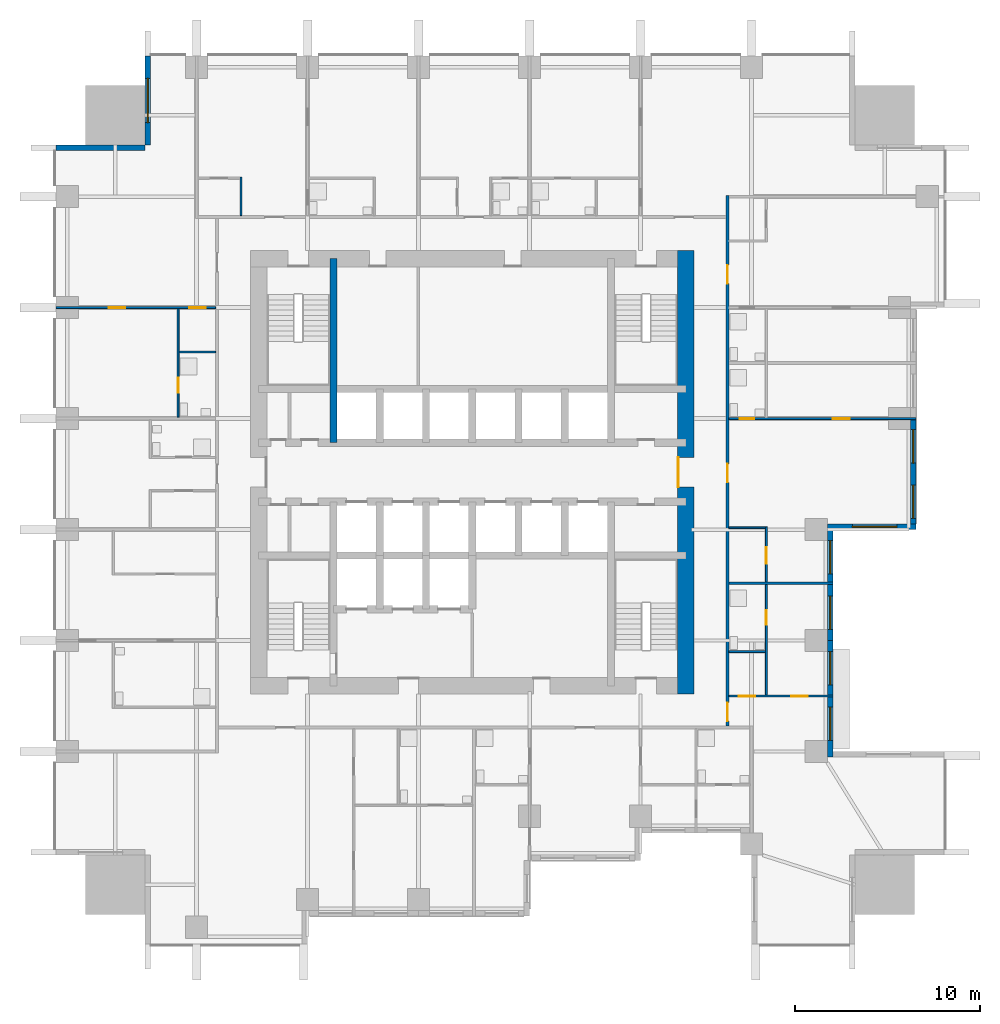
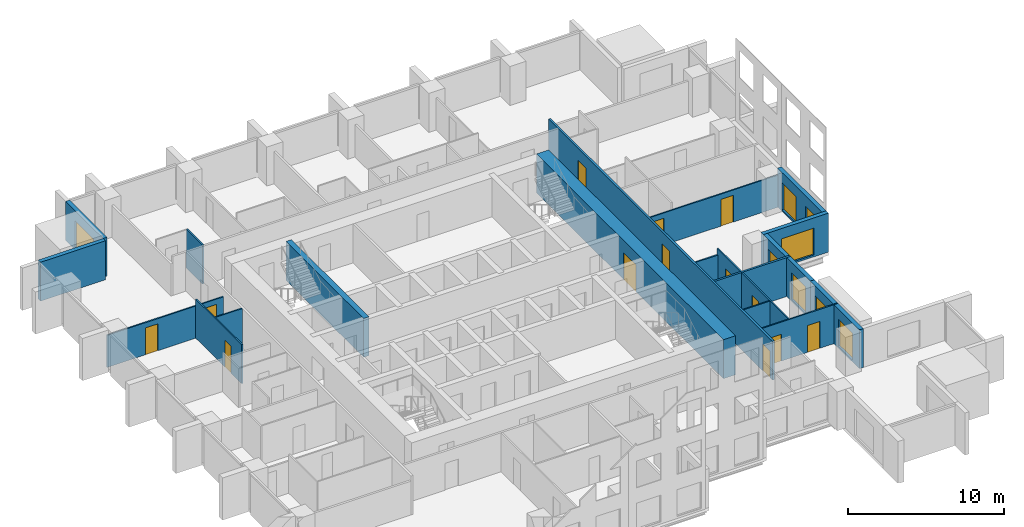
# One storey, part 6 of 11: 19 walls, 13 doors, 8 windows, 21 openings.
"""IFC4 building model written with IfcOpenShell, lengths in metres."""

from ifc_helpers import new_model, si_unit, direction, frame, frame_2d, origin, place, context, subcontext, project, spatial, rectangle, extrude, material, layer, layer_set, type_object, element, fill, save


model = new_model("IFC4")

# Units and contexts
model_context = context("Model", 3, precision=1e-05, world=origin(), true_north=direction((0.0, 1.0)))
body_context = subcontext(model_context, "Body", "Model", "MODEL_VIEW")
ifc_project = project(units=[si_unit("LENGTHUNIT", "METRE"), si_unit("AREAUNIT", "SQUARE_METRE"), si_unit("VOLUMEUNIT", "CUBIC_METRE"), si_unit("PLANEANGLEUNIT", "RADIAN"), si_unit("MASSUNIT", "GRAM", prefix="KILO")], contexts=[model_context])

# Site, building, storey
site_placement = place(None, origin())
site = spatial("IfcSite", under=ifc_project, at=site_placement, CompositionType="ELEMENT")
building_placement = place(site_placement, origin())
building = spatial("IfcBuilding", under=site, at=building_placement, Name="Amberfall Residences", CompositionType="ELEMENT")
storey_placement = place(building_placement, frame((0.0, 0.0, 59.800048828125)))
storey = spatial("IfcBuildingStorey", under=building, at=storey_placement, Name="L16", CompositionType="ELEMENT", Elevation=59.800048828125)

# Wall, opening, window
ifc_material_1 = material(Name="Pale stone cladding on insulated backing", Category="masonry")
ifc_layer_1 = layer(ifc_material_1, 0.300048828125)
ifc_layer_set_1 = layer_set([ifc_layer_1], Name="Bronze clad wall 300")
wall_type_1 = type_object("IfcWallType", Name="Bronze clad wall 300", PredefinedType="SOLIDWALL", material=ifc_layer_set_1)
wall_1_placement = place(storey_placement, frame((93.699951171875, 42.550048828125, 0.0), z_axis=(0.0, 0.0, 1.0), x_axis=(1.0, 0.0, 0.0)))
wall_1 = element("IfcWall", 1, at=wall_1_placement, inside=storey, type_object=wall_type_1, Name="External wall L16 E", PredefinedType="SOLIDWALL", context=body_context, shape_type="SweptSolid", body=[
    extrude(rectangle(XDim=4.800048828125, YDim=0.300048828125, at=frame_2d((2.39990234375, 0.0))), origin(), (0.0, 0.0, 1.0), 3.050048828125),
])
opening_1_placement = place(wall_1_placement, frame((1.35009765625, 0.0, 0.14990234375)))
opening_1 = element("IfcOpeningElement", 2, at=opening_1_placement, cuts=wall_1, Name="Opening WN5", PredefinedType="OPENING", context=body_context, shape_type="SweptSolid", body=[
    extrude(rectangle(XDim=2.39990234375, YDim=2.10009765625, at=frame_2d((1.199951171875, 1.050048828125))), frame((0.0, 0.159912109375, 0.0), z_axis=(0.0, -1.0, 0.0), x_axis=(1.0, 0.0, 0.0)), (0.0, 0.0, 1.0), 0.320068359375),
])
ifc_material_2 = material(Name="Bronze aluminium framed glazing", Category="aluminium")
window_type_1 = type_object("IfcWindowType", Name="Glazed opening 2400 x 2100 bronze", PartitioningType="DOUBLE_PANEL_VERTICAL", PredefinedType="WINDOW", material=ifc_material_2)
window_1_placement = place(opening_1_placement, origin())
window_1 = element("IfcWindow", 3, at=window_1_placement, inside=storey, type_object=window_type_1, Name="Window L16 E", OverallHeight=2.10009765625, OverallWidth=2.39990234375, PartitioningType="DOUBLE_PANEL_VERTICAL", PredefinedType="WINDOW", context=body_context, shape_type="SweptSolid", body=[
    extrude(rectangle(XDim=2.39990234375, YDim=2.10009765625, at=frame_2d((1.199951171875, 1.050048828125))), frame((0.0, 0.030029296875, 0.0), z_axis=(0.0, -1.0, 0.0), x_axis=(1.0, 0.0, 0.0)), (0.0, 0.0, 1.0), 0.06005859375),
])
fill(opening_1, window_1)

wall_2_placement = place(storey_placement, frame((56.949951171875, 68.0, 0.0), z_axis=(0.0, 0.0, 1.0), x_axis=(0.0, -1.0, 0.0)))
wall_2 = element("IfcWall", 4, at=wall_2_placement, inside=storey, type_object=wall_type_1, Name="External wall L16 NW", PredefinedType="SOLIDWALL", context=body_context, shape_type="SweptSolid", body=[
    extrude(rectangle(XDim=4.800048828125, YDim=0.300048828125, at=frame_2d((2.39990234375, 0.0))), origin(), (0.0, 0.0, 1.0), 3.050048828125),
])
opening_2_placement = place(wall_2_placement, frame((1.199951171875, 0.0, 0.14990234375)))
opening_2 = element("IfcOpeningElement", 5, at=opening_2_placement, cuts=wall_2, Name="Opening WN5", PredefinedType="OPENING", context=body_context, shape_type="SweptSolid", body=[
    extrude(rectangle(XDim=2.39990234375, YDim=2.10009765625, at=frame_2d((1.199951171875, 1.050048828125))), frame((0.0, 0.159912109375, 0.0), z_axis=(0.0, -1.0, 0.0), x_axis=(1.0, 0.0, 0.0)), (0.0, 0.0, 1.0), 0.320068359375),
])
window_2_placement = place(opening_2_placement, origin())
window_2 = element("IfcWindow", 6, at=window_2_placement, inside=storey, type_object=window_type_1, Name="Window L16 NW", OverallHeight=2.10009765625, OverallWidth=2.39990234375, PartitioningType="DOUBLE_PANEL_VERTICAL", PredefinedType="WINDOW", context=body_context, shape_type="SweptSolid", body=[
    extrude(rectangle(XDim=2.39990234375, YDim=2.10009765625, at=frame_2d((1.199951171875, 1.050048828125))), frame((0.0, 0.030029296875, 0.0), z_axis=(0.0, -1.0, 0.0), x_axis=(1.0, 0.0, 0.0)), (0.0, 0.0, 1.0), 0.06005859375),
])
fill(opening_2, window_2)

# Wall
wall_3_placement = place(storey_placement, frame((56.800048828125, 63.050048828125, 0.0), z_axis=(0.0, 0.0, 1.0), x_axis=(-1.0, 0.0, 0.0)))
element("IfcWall", 7, at=wall_3_placement, inside=storey, type_object=wall_type_1, Name="External wall L16 NW", PredefinedType="SOLIDWALL", context=body_context, shape_type="SweptSolid", body=[
    extrude(rectangle(XDim=4.800048828125, YDim=0.300048828125, at=frame_2d((2.39990234375, 0.0))), origin(), (0.0, 0.0, 1.0), 3.050048828125),
])

# Wall, openings, windows
wall_4_placement = place(storey_placement, frame((93.85009765625, 30.10009765625, 0.0), z_axis=(0.0, 0.0, 1.0), x_axis=(0.0, 1.0, 0.0)))
wall_4 = element("IfcWall", 8, at=wall_4_placement, inside=storey, type_object=wall_type_1, Name="Stone wall L16 E", PredefinedType="SOLIDWALL", context=body_context, shape_type="SweptSolid", body=[
    extrude(rectangle(XDim=6.2998046875, YDim=0.300048828125, at=frame_2d((3.14990234375, 0.0))), origin(), (0.0, 0.0, 1.0), 3.050048828125),
])
opening_3_placement = place(wall_4_placement, frame((0.89990234375, 0.0, 0.14990234375)))
opening_3 = element("IfcOpeningElement", 9, at=opening_3_placement, cuts=wall_4, Name="Opening WN6", PredefinedType="OPENING", context=body_context, shape_type="SweptSolid", body=[
    extrude(rectangle(XDim=1.800048828125, YDim=2.10009765625, at=frame_2d((0.89990234375, 1.050048828125))), frame((0.0, 0.159912109375, 0.0), z_axis=(0.0, -1.0, 0.0), x_axis=(1.0, 0.0, 0.0)), (0.0, 0.0, 1.0), 0.320068359375),
])
opening_4_placement = place(wall_4_placement, frame((3.89990234375, 0.0, 0.14990234375)))
opening_4 = element("IfcOpeningElement", 10, at=opening_4_placement, cuts=wall_4, Name="Opening WN6", PredefinedType="OPENING", context=body_context, shape_type="SweptSolid", body=[
    extrude(rectangle(XDim=1.800048828125, YDim=2.10009765625, at=frame_2d((0.89990234375, 1.050048828125))), frame((0.0, 0.159912109375, 0.0), z_axis=(0.0, -1.0, 0.0), x_axis=(1.0, 0.0, 0.0)), (0.0, 0.0, 1.0), 0.320068359375),
])
window_type_2 = type_object("IfcWindowType", Name="Glazed opening 1800 x 2100 bronze", PartitioningType="DOUBLE_PANEL_VERTICAL", PredefinedType="WINDOW", material=ifc_material_2)
window_3_placement = place(opening_3_placement, origin())
window_3 = element("IfcWindow", 11, at=window_3_placement, inside=storey, type_object=window_type_2, Name="Window L16 E", OverallHeight=2.10009765625, OverallWidth=1.800048828125, PartitioningType="DOUBLE_PANEL_VERTICAL", PredefinedType="WINDOW", context=body_context, shape_type="SweptSolid", body=[
    extrude(rectangle(XDim=1.800048828125, YDim=2.10009765625, at=frame_2d((0.89990234375, 1.050048828125))), frame((0.0, 0.030029296875, 0.0), z_axis=(0.0, -1.0, 0.0), x_axis=(1.0, 0.0, 0.0)), (0.0, 0.0, 1.0), 0.06005859375),
])
fill(opening_3, window_3)
window_4_placement = place(opening_4_placement, origin())
window_4 = element("IfcWindow", 12, at=window_4_placement, inside=storey, type_object=window_type_2, Name="Window L16 E", OverallHeight=2.10009765625, OverallWidth=1.800048828125, PartitioningType="DOUBLE_PANEL_VERTICAL", PredefinedType="WINDOW", context=body_context, shape_type="SweptSolid", body=[
    extrude(rectangle(XDim=1.800048828125, YDim=2.10009765625, at=frame_2d((0.89990234375, 1.050048828125))), frame((0.0, 0.030029296875, 0.0), z_axis=(0.0, -1.0, 0.0), x_axis=(1.0, 0.0, 0.0)), (0.0, 0.0, 1.0), 0.06005859375),
])
fill(opening_4, window_4)

wall_5_placement = place(storey_placement, frame((93.85009765625, 36.39990234375, 0.0), z_axis=(0.0, 0.0, 1.0), x_axis=(0.0, 1.0, 0.0)))
wall_5 = element("IfcWall", 13, at=wall_5_placement, inside=storey, type_object=wall_type_1, Name="Stone wall L16 E", PredefinedType="SOLIDWALL", context=body_context, shape_type="SweptSolid", body=[
    extrude(rectangle(XDim=6.0, YDim=0.300048828125, at=frame_2d((3.0, 0.0))), origin(), (0.0, 0.0, 1.0), 3.050048828125),
])
opening_5_placement = place(wall_5_placement, frame((0.60009765625, 0.0, 0.14990234375)))
opening_5 = element("IfcOpeningElement", 14, at=opening_5_placement, cuts=wall_5, Name="Opening WN6", PredefinedType="OPENING", context=body_context, shape_type="SweptSolid", body=[
    extrude(rectangle(XDim=1.800048828125, YDim=2.10009765625, at=frame_2d((0.89990234375, 1.050048828125))), frame((0.0, 0.159912109375, 0.0), z_axis=(0.0, -1.0, 0.0), x_axis=(1.0, 0.0, 0.0)), (0.0, 0.0, 1.0), 0.320068359375),
])
opening_6_placement = place(wall_5_placement, frame((3.60009765625, 0.0, 0.14990234375)))
opening_6 = element("IfcOpeningElement", 15, at=opening_6_placement, cuts=wall_5, Name="Opening WN6", PredefinedType="OPENING", context=body_context, shape_type="SweptSolid", body=[
    extrude(rectangle(XDim=1.800048828125, YDim=2.10009765625, at=frame_2d((0.89990234375, 1.050048828125))), frame((0.0, 0.159912109375, 0.0), z_axis=(0.0, -1.0, 0.0), x_axis=(1.0, 0.0, 0.0)), (0.0, 0.0, 1.0), 0.320068359375),
])
window_5_placement = place(opening_5_placement, origin())
window_5 = element("IfcWindow", 16, at=window_5_placement, inside=storey, type_object=window_type_2, Name="Window L16 E", OverallHeight=2.10009765625, OverallWidth=1.800048828125, PartitioningType="DOUBLE_PANEL_VERTICAL", PredefinedType="WINDOW", context=body_context, shape_type="SweptSolid", body=[
    extrude(rectangle(XDim=1.800048828125, YDim=2.10009765625, at=frame_2d((0.89990234375, 1.050048828125))), frame((0.0, 0.030029296875, 0.0), z_axis=(0.0, -1.0, 0.0), x_axis=(1.0, 0.0, 0.0)), (0.0, 0.0, 1.0), 0.06005859375),
])
fill(opening_5, window_5)
window_6_placement = place(opening_6_placement, origin())
window_6 = element("IfcWindow", 17, at=window_6_placement, inside=storey, type_object=window_type_2, Name="Window L16 E", OverallHeight=2.10009765625, OverallWidth=1.800048828125, PartitioningType="DOUBLE_PANEL_VERTICAL", PredefinedType="WINDOW", context=body_context, shape_type="SweptSolid", body=[
    extrude(rectangle(XDim=1.800048828125, YDim=2.10009765625, at=frame_2d((0.89990234375, 1.050048828125))), frame((0.0, 0.030029296875, 0.0), z_axis=(0.0, -1.0, 0.0), x_axis=(1.0, 0.0, 0.0)), (0.0, 0.0, 1.0), 0.06005859375),
])
fill(opening_6, window_6)

wall_6_placement = place(storey_placement, frame((98.35009765625, 42.699951171875, 0.0), z_axis=(0.0, 0.0, 1.0), x_axis=(0.0, 1.0, 0.0)))
wall_6 = element("IfcWall", 18, at=wall_6_placement, inside=storey, type_object=wall_type_1, Name="Stone wall L16 E", PredefinedType="SOLIDWALL", context=body_context, shape_type="SweptSolid", body=[
    extrude(rectangle(XDim=5.699951171875, YDim=0.300048828125, at=frame_2d((2.85009765625, 0.0))), origin(), (0.0, 0.0, 1.0), 3.050048828125),
])
opening_7_placement = place(wall_6_placement, frame((0.300048828125, 0.0, 0.14990234375)))
opening_7 = element("IfcOpeningElement", 19, at=opening_7_placement, cuts=wall_6, Name="Opening WN6", PredefinedType="OPENING", context=body_context, shape_type="SweptSolid", body=[
    extrude(rectangle(XDim=1.800048828125, YDim=2.10009765625, at=frame_2d((0.89990234375, 1.050048828125))), frame((0.0, 0.159912109375, 0.0), z_axis=(0.0, -1.0, 0.0), x_axis=(1.0, 0.0, 0.0)), (0.0, 0.0, 1.0), 0.320068359375),
])
opening_8_placement = place(wall_6_placement, frame((3.300048828125, 0.0, 0.14990234375)))
opening_8 = element("IfcOpeningElement", 20, at=opening_8_placement, cuts=wall_6, Name="Opening WN6", PredefinedType="OPENING", context=body_context, shape_type="SweptSolid", body=[
    extrude(rectangle(XDim=1.800048828125, YDim=2.10009765625, at=frame_2d((0.89990234375, 1.050048828125))), frame((0.0, 0.159912109375, 0.0), z_axis=(0.0, -1.0, 0.0), x_axis=(1.0, 0.0, 0.0)), (0.0, 0.0, 1.0), 0.320068359375),
])
window_7_placement = place(opening_7_placement, origin())
window_7 = element("IfcWindow", 21, at=window_7_placement, inside=storey, type_object=window_type_2, Name="Window L16 E", OverallHeight=2.10009765625, OverallWidth=1.800048828125, PartitioningType="DOUBLE_PANEL_VERTICAL", PredefinedType="WINDOW", context=body_context, shape_type="SweptSolid", body=[
    extrude(rectangle(XDim=1.800048828125, YDim=2.10009765625, at=frame_2d((0.89990234375, 1.050048828125))), frame((0.0, 0.030029296875, 0.0), z_axis=(0.0, -1.0, 0.0), x_axis=(1.0, 0.0, 0.0)), (0.0, 0.0, 1.0), 0.06005859375),
])
fill(opening_7, window_7)
window_8_placement = place(opening_8_placement, origin())
window_8 = element("IfcWindow", 22, at=window_8_placement, inside=storey, type_object=window_type_2, Name="Window L16 E", OverallHeight=2.10009765625, OverallWidth=1.800048828125, PartitioningType="DOUBLE_PANEL_VERTICAL", PredefinedType="WINDOW", context=body_context, shape_type="SweptSolid", body=[
    extrude(rectangle(XDim=1.800048828125, YDim=2.10009765625, at=frame_2d((0.89990234375, 1.050048828125))), frame((0.0, 0.030029296875, 0.0), z_axis=(0.0, -1.0, 0.0), x_axis=(1.0, 0.0, 0.0)), (0.0, 0.0, 1.0), 0.06005859375),
])
fill(opening_8, window_8)

# Wall
ifc_material_3 = material(Name="Concrete C80", Category="concrete")
ifc_layer_2 = layer(ifc_material_3, 0.39990234375)
ifc_layer_set_2 = layer_set([ifc_layer_2], Name="Core wall 400 C80")
wall_type_2 = type_object("IfcWallType", Name="Core wall 400 C80", PredefinedType="SHEAR", material=ifc_layer_set_2)
wall_7_placement = place(storey_placement, frame((67.0, 47.10009765625, 0.0), z_axis=(0.0, 0.0, 1.0), x_axis=(0.0, 1.0, 0.0)))
element("IfcWall", 23, at=wall_7_placement, inside=storey, type_object=wall_type_2, Name="Core wall RW2 L16 V45N", PredefinedType="SHEAR", context=body_context, shape_type="SweptSolid", body=[
    extrude(rectangle(XDim=9.949951171875, YDim=0.39990234375, at=frame_2d((4.97509765625, 0.0))), origin(), (0.0, 0.0, 1.0), 3.050048828125),
])

# Wall, opening, door
ifc_layer_3 = layer(ifc_material_3, 0.89990234375)
ifc_layer_set_3 = layer_set([ifc_layer_3], Name="Core wall 900 C80")
wall_type_3 = type_object("IfcWallType", Name="Core wall 900 C80", PredefinedType="SHEAR", material=ifc_layer_set_3)
wall_8_placement = place(storey_placement, frame((86.050048828125, 33.5, 0.0), z_axis=(0.0, 0.0, 1.0), x_axis=(0.0, 1.0, 0.0)))
wall_8 = element("IfcWall", 24, at=wall_8_placement, inside=storey, type_object=wall_type_3, Name="Core wall RW1 L16 OE", PredefinedType="SHEAR", context=body_context, shape_type="SweptSolid", body=[
    extrude(rectangle(XDim=24.0, YDim=0.89990234375, at=frame_2d((12.0, 0.0))), origin(), (0.0, 0.0, 1.0), 3.050048828125),
])
opening_9_placement = place(wall_8_placement, frame((11.199951171875, 0.0, 0.0)))
opening_9 = element("IfcOpeningElement", 25, at=opening_9_placement, cuts=wall_8, Name="Opening LB1", PredefinedType="OPENING", context=body_context, shape_type="SweptSolid", body=[
    extrude(rectangle(XDim=1.60009765625, YDim=2.10009765625, at=frame_2d((0.800048828125, 1.050048828125))), frame((0.0, 0.4599609375, 0.0), z_axis=(0.0, -1.0, 0.0), x_axis=(1.0, 0.0, 0.0)), (0.0, 0.0, 1.0), 0.919921875),
])
ifc_material_4 = material(Name="Steel fire door set", Category="steel")
door_type_1 = type_object("IfcDoorType", Name="Lift lobby double door 1600 x 2100", OperationType="DOUBLE_DOOR_SINGLE_SWING", PredefinedType="DOOR", material=ifc_material_4)
door_1_placement = place(opening_9_placement, origin())
door_1 = element("IfcDoor", 26, at=door_1_placement, inside=storey, type_object=door_type_1, Name="LB1 L16", OperationType="DOUBLE_DOOR_SINGLE_SWING", OverallHeight=2.10009765625, OverallWidth=1.60009765625, PredefinedType="DOOR", context=body_context, shape_type="SweptSolid", body=[
    extrude(rectangle(XDim=1.60009765625, YDim=2.10009765625, at=frame_2d((0.800048828125, 1.050048828125))), frame((0.0, 0.4375, 0.0), z_axis=(0.0, -1.0, 0.0), x_axis=(1.0, 0.0, 0.0)), (0.0, 0.0, 1.0), 0.050048828125),
])
fill(opening_9, door_1)

ifc_material_5 = material(Name="Gypsum board on metal stud")
ifc_layer_4 = layer(ifc_material_5, 0.10009765625)
ifc_layer_set_4 = layer_set([ifc_layer_4], Name="Flat partition 100")
wall_type_4 = type_object("IfcWallType", Name="Flat partition 100", PredefinedType="PARTITIONING", material=ifc_layer_set_4)
wall_9_placement = place(storey_placement, frame((58.60009765625, 54.35009765625, 0.0), z_axis=(0.0, 0.0, 1.0), x_axis=(0.0, -1.0, 0.0)))
wall_9 = element("IfcWall", 27, at=wall_9_placement, inside=storey, type_object=wall_type_4, Name="Partition 005", PredefinedType="PARTITIONING", context=body_context, shape_type="SweptSolid", body=[
    extrude(rectangle(XDim=5.875, YDim=0.10009765625, at=frame_2d((2.9375, 0.0))), origin(), (0.0, 0.0, 1.0), 3.050048828125),
])
opening_10_placement = place(wall_9_placement, frame((3.75, 0.0, 0.0)))
opening_10 = element("IfcOpeningElement", 28, at=opening_10_placement, cuts=wall_9, Name="Opening D42", PredefinedType="OPENING", context=body_context, shape_type="SweptSolid", body=[
    extrude(rectangle(XDim=0.800048828125, YDim=2.10009765625, at=frame_2d((0.39990234375, 1.050048828125))), frame((0.0, 0.06005859375, 0.0), z_axis=(0.0, -1.0, 0.0), x_axis=(1.0, 0.0, 0.0)), (0.0, 0.0, 1.0), 0.1201171875),
])
ifc_material_6 = material(Name="Timber", Category="wood")
door_type_2 = type_object("IfcDoorType", Name="Bathroom door 800 x 2100", OperationType="SINGLE_SWING_LEFT", PredefinedType="DOOR", material=ifc_material_6)
door_2_placement = place(opening_10_placement, origin())
door_2 = element("IfcDoor", 29, at=door_2_placement, inside=storey, type_object=door_type_2, Name="Door 1611 bath1", OperationType="SINGLE_SWING_LEFT", OverallHeight=2.10009765625, OverallWidth=0.800048828125, PredefinedType="DOOR", context=body_context, shape_type="SweptSolid", body=[
    extrude(rectangle(XDim=0.800048828125, YDim=2.10009765625, at=frame_2d((0.39990234375, 1.050048828125))), frame((0.0, 0.02490234375, 0.0), z_axis=(0.0, -1.0, 0.0), x_axis=(1.0, 0.0, 0.0)), (0.0, 0.0, 1.0), 0.050048828125),
])
fill(opening_10, door_2)

# Wall
wall_10_placement = place(storey_placement, frame((62.0, 59.375, 0.0), z_axis=(0.0, 0.0, 1.0), x_axis=(0.0, 1.0, 0.0)))
element("IfcWall", 30, at=wall_10_placement, inside=storey, type_object=wall_type_4, Name="Partition 006", PredefinedType="PARTITIONING", context=body_context, shape_type="SweptSolid", body=[
    extrude(rectangle(XDim=2.074951171875, YDim=0.10009765625, at=frame_2d((1.03759765625, 0.0))), origin(), (0.0, 0.0, 1.0), 3.050048828125),
])

# Wall, openings, doors
wall_11_placement = place(storey_placement, frame((90.39990234375, 33.449951171875, 0.0), z_axis=(0.0, 0.0, 1.0), x_axis=(0.0, 1.0, 0.0)))
wall_11 = element("IfcWall", 31, at=wall_11_placement, inside=storey, type_object=wall_type_4, Name="Partition 018", PredefinedType="PARTITIONING", context=body_context, shape_type="SweptSolid", body=[
    extrude(rectangle(XDim=9.10009765625, YDim=0.10009765625, at=frame_2d((4.550048828125, 0.0))), origin(), (0.0, 0.0, 1.0), 3.050048828125),
])
opening_11_placement = place(wall_11_placement, frame((3.800048828125, 0.0, 0.0)))
opening_11 = element("IfcOpeningElement", 32, at=opening_11_placement, cuts=wall_11, Name="Opening D42", PredefinedType="OPENING", context=body_context, shape_type="SweptSolid", body=[
    extrude(rectangle(XDim=0.800048828125, YDim=2.10009765625, at=frame_2d((0.39990234375, 1.050048828125))), frame((0.0, 0.06005859375, 0.0), z_axis=(0.0, -1.0, 0.0), x_axis=(1.0, 0.0, 0.0)), (0.0, 0.0, 1.0), 0.1201171875),
])
opening_12_placement = place(wall_11_placement, frame((7.10009765625, 0.0, 0.0)))
opening_12 = element("IfcOpeningElement", 33, at=opening_12_placement, cuts=wall_11, Name="Opening D41", PredefinedType="OPENING", context=body_context, shape_type="SweptSolid", body=[
    extrude(rectangle(XDim=0.89990234375, YDim=2.10009765625, at=frame_2d((0.449951171875, 1.050048828125))), frame((0.0, 0.06005859375, 0.0), z_axis=(0.0, -1.0, 0.0), x_axis=(1.0, 0.0, 0.0)), (0.0, 0.0, 1.0), 0.1201171875),
])
door_3_placement = place(opening_11_placement, origin())
door_3 = element("IfcDoor", 34, at=door_3_placement, inside=storey, type_object=door_type_2, Name="Door 1603 bath1", OperationType="SINGLE_SWING_LEFT", OverallHeight=2.10009765625, OverallWidth=0.800048828125, PredefinedType="DOOR", context=body_context, shape_type="SweptSolid", body=[
    extrude(rectangle(XDim=0.800048828125, YDim=2.10009765625, at=frame_2d((0.39990234375, 1.050048828125))), frame((0.0, 0.02490234375, 0.0), z_axis=(0.0, -1.0, 0.0), x_axis=(1.0, 0.0, 0.0)), (0.0, 0.0, 1.0), 0.050048828125),
])
fill(opening_11, door_3)
door_type_3 = type_object("IfcDoorType", Name="Internal door 900 x 2100", OperationType="SINGLE_SWING_LEFT", PredefinedType="DOOR", material=ifc_material_6)
door_4_placement = place(opening_12_placement, origin())
door_4 = element("IfcDoor", 35, at=door_4_placement, inside=storey, type_object=door_type_3, Name="Door 1604 kitchen", OperationType="SINGLE_SWING_LEFT", OverallHeight=2.10009765625, OverallWidth=0.89990234375, PredefinedType="DOOR", context=body_context, shape_type="SweptSolid", body=[
    extrude(rectangle(XDim=0.89990234375, YDim=2.10009765625, at=frame_2d((0.449951171875, 1.050048828125))), frame((0.0, 0.02490234375, 0.0), z_axis=(0.0, -1.0, 0.0), x_axis=(1.0, 0.0, 0.0)), (0.0, 0.0, 1.0), 0.050048828125),
])
fill(opening_12, door_4)

wall_12_placement = place(storey_placement, frame((60.625, 54.39990234375, 0.0), z_axis=(0.0, 0.0, 1.0), x_axis=(-1.0, 0.0, 0.0)))
wall_12 = element("IfcWall", 36, at=wall_12_placement, inside=storey, type_object=wall_type_4, Name="Partition 026", PredefinedType="PARTITIONING", context=body_context, shape_type="SweptSolid", body=[
    extrude(rectangle(XDim=8.625, YDim=0.10009765625, at=frame_2d((4.3125, 0.0))), origin(), (0.0, 0.0, 1.0), 2.515869140625),
])
opening_13_placement = place(wall_12_placement, frame((0.52490234375, 0.0, 0.0)))
opening_13 = element("IfcOpeningElement", 37, at=opening_13_placement, cuts=wall_12, Name="Opening D41", PredefinedType="OPENING", context=body_context, shape_type="SweptSolid", body=[
    extrude(rectangle(XDim=0.89990234375, YDim=2.10009765625, at=frame_2d((0.449951171875, 1.050048828125))), frame((0.0, 0.06005859375, 0.0), z_axis=(0.0, -1.0, 0.0), x_axis=(1.0, 0.0, 0.0)), (0.0, 0.0, 1.0), 0.1201171875),
])
opening_14_placement = place(wall_12_placement, frame((4.875, 0.0, 0.0)))
opening_14 = element("IfcOpeningElement", 38, at=opening_14_placement, cuts=wall_12, Name="Opening D41", PredefinedType="OPENING", context=body_context, shape_type="SweptSolid", body=[
    extrude(rectangle(XDim=0.89990234375, YDim=2.10009765625, at=frame_2d((0.449951171875, 1.050048828125))), frame((0.0, 0.06005859375, 0.0), z_axis=(0.0, -1.0, 0.0), x_axis=(1.0, 0.0, 0.0)), (0.0, 0.0, 1.0), 0.1201171875),
])
door_5_placement = place(opening_13_placement, origin())
door_5 = element("IfcDoor", 39, at=door_5_placement, inside=storey, type_object=door_type_3, Name="Door 1611 kitchen", OperationType="SINGLE_SWING_LEFT", OverallHeight=2.10009765625, OverallWidth=0.89990234375, PredefinedType="DOOR", context=body_context, shape_type="SweptSolid", body=[
    extrude(rectangle(XDim=0.89990234375, YDim=2.10009765625, at=frame_2d((0.449951171875, 1.050048828125))), frame((0.0, 0.02490234375, 0.0), z_axis=(0.0, -1.0, 0.0), x_axis=(1.0, 0.0, 0.0)), (0.0, 0.0, 1.0), 0.050048828125),
])
fill(opening_13, door_5)
door_6_placement = place(opening_14_placement, origin())
door_6 = element("IfcDoor", 40, at=door_6_placement, inside=storey, type_object=door_type_3, Name="Door 1611 bedroom1", OperationType="SINGLE_SWING_LEFT", OverallHeight=2.10009765625, OverallWidth=0.89990234375, PredefinedType="DOOR", context=body_context, shape_type="SweptSolid", body=[
    extrude(rectangle(XDim=0.89990234375, YDim=2.10009765625, at=frame_2d((0.449951171875, 1.050048828125))), frame((0.0, 0.02490234375, 0.0), z_axis=(0.0, -1.0, 0.0), x_axis=(1.0, 0.0, 0.0)), (0.0, 0.0, 1.0), 0.050048828125),
])
fill(opening_14, door_6)

# Wall
wall_13_placement = place(storey_placement, frame((58.64990234375, 52.0, 0.0), z_axis=(0.0, 0.0, 1.0), x_axis=(1.0, 0.0, 0.0)))
element("IfcWall", 41, at=wall_13_placement, inside=storey, type_object=wall_type_4, Name="Partition 028", PredefinedType="PARTITIONING", context=body_context, shape_type="SweptSolid", body=[
    extrude(rectangle(XDim=1.97509765625, YDim=0.10009765625, at=frame_2d((0.987548828125, 0.0))), origin(), (0.0, 0.0, 1.0), 3.050048828125),
])

# Wall, openings, doors
wall_14_placement = place(storey_placement, frame((88.375, 48.39990234375, 0.0), z_axis=(0.0, 0.0, 1.0), x_axis=(1.0, 0.0, 0.0)))
wall_14 = element("IfcWall", 42, at=wall_14_placement, inside=storey, type_object=wall_type_4, Name="Partition 029", PredefinedType="PARTITIONING", context=body_context, shape_type="SweptSolid", body=[
    extrude(rectangle(XDim=10.125, YDim=0.10009765625, at=frame_2d((5.0625, 0.0))), origin(), (0.0, 0.0, 1.0), 2.515869140625),
])
opening_15_placement = place(wall_14_placement, frame((5.625, 0.0, 0.0)))
opening_15 = element("IfcOpeningElement", 43, at=opening_15_placement, cuts=wall_14, Name="Opening D41", PredefinedType="OPENING", context=body_context, shape_type="SweptSolid", body=[
    extrude(rectangle(XDim=0.89990234375, YDim=2.10009765625, at=frame_2d((0.449951171875, 1.050048828125))), frame((0.0, 0.06005859375, 0.0), z_axis=(0.0, -1.0, 0.0), x_axis=(1.0, 0.0, 0.0)), (0.0, 0.0, 1.0), 0.1201171875),
])
opening_16_placement = place(wall_14_placement, frame((0.574951171875, 0.0, 0.0)))
opening_16 = element("IfcOpeningElement", 44, at=opening_16_placement, cuts=wall_14, Name="Opening D42", PredefinedType="OPENING", context=body_context, shape_type="SweptSolid", body=[
    extrude(rectangle(XDim=0.800048828125, YDim=2.10009765625, at=frame_2d((0.39990234375, 1.050048828125))), frame((0.0, 0.06005859375, 0.0), z_axis=(0.0, -1.0, 0.0), x_axis=(1.0, 0.0, 0.0)), (0.0, 0.0, 1.0), 0.1201171875),
])
door_7_placement = place(opening_16_placement, origin())
door_7 = element("IfcDoor", 45, at=door_7_placement, inside=storey, type_object=door_type_2, Name="Door 1604 bath1", OperationType="SINGLE_SWING_LEFT", OverallHeight=2.10009765625, OverallWidth=0.800048828125, PredefinedType="DOOR", context=body_context, shape_type="SweptSolid", body=[
    extrude(rectangle(XDim=0.800048828125, YDim=2.10009765625, at=frame_2d((0.39990234375, 1.050048828125))), frame((0.0, 0.02490234375, 0.0), z_axis=(0.0, -1.0, 0.0), x_axis=(1.0, 0.0, 0.0)), (0.0, 0.0, 1.0), 0.050048828125),
])
fill(opening_16, door_7)
door_8_placement = place(opening_15_placement, origin())
door_8 = element("IfcDoor", 46, at=door_8_placement, inside=storey, type_object=door_type_3, Name="Door 1604 bedroom1", OperationType="SINGLE_SWING_LEFT", OverallHeight=2.10009765625, OverallWidth=0.89990234375, PredefinedType="DOOR", context=body_context, shape_type="SweptSolid", body=[
    extrude(rectangle(XDim=0.89990234375, YDim=2.10009765625, at=frame_2d((0.449951171875, 1.050048828125))), frame((0.0, 0.02490234375, 0.0), z_axis=(0.0, -1.0, 0.0), x_axis=(1.0, 0.0, 0.0)), (0.0, 0.0, 1.0), 0.050048828125),
])
fill(opening_15, door_8)

# Walls
wall_15_placement = place(storey_placement, frame((88.375, 42.5, 0.0), z_axis=(0.0, 0.0, 1.0), x_axis=(1.0, 0.0, 0.0)))
element("IfcWall", 47, at=wall_15_placement, inside=storey, type_object=wall_type_4, Name="Partition 032", PredefinedType="PARTITIONING", context=body_context, shape_type="SweptSolid", body=[
    extrude(rectangle(XDim=1.97509765625, YDim=0.10009765625, at=frame_2d((0.987548828125, 0.0))), origin(), (0.0, 0.0, 1.0), 2.58984375),
])
wall_16_placement = place(storey_placement, frame((88.375, 35.800048828125, 0.0), z_axis=(0.0, 0.0, 1.0), x_axis=(1.0, 0.0, 0.0)))
element("IfcWall", 48, at=wall_16_placement, inside=storey, type_object=wall_type_4, Name="Partition 035", PredefinedType="PARTITIONING", context=body_context, shape_type="SweptSolid", body=[
    extrude(rectangle(XDim=1.97509765625, YDim=0.10009765625, at=frame_2d((0.987548828125, 0.0))), origin(), (0.0, 0.0, 1.0), 3.050048828125),
])

# Wall, openings, doors
wall_17_placement = place(storey_placement, frame((88.375, 33.39990234375, 0.0), z_axis=(0.0, 0.0, 1.0), x_axis=(1.0, 0.0, 0.0)))
wall_17 = element("IfcWall", 49, at=wall_17_placement, inside=storey, type_object=wall_type_4, Name="Partition 036", PredefinedType="PARTITIONING", context=body_context, shape_type="SweptSolid", body=[
    extrude(rectangle(XDim=5.625, YDim=0.10009765625, at=frame_2d((2.8125, 0.0))), origin(), (0.0, 0.0, 1.0), 3.050048828125),
])
opening_17_placement = place(wall_17_placement, frame((0.52490234375, 0.0, 0.0)))
opening_17 = element("IfcOpeningElement", 50, at=opening_17_placement, cuts=wall_17, Name="Opening D41", PredefinedType="OPENING", context=body_context, shape_type="SweptSolid", body=[
    extrude(rectangle(XDim=0.89990234375, YDim=2.10009765625, at=frame_2d((0.449951171875, 1.050048828125))), frame((0.0, 0.06005859375, 0.0), z_axis=(0.0, -1.0, 0.0), x_axis=(1.0, 0.0, 0.0)), (0.0, 0.0, 1.0), 0.1201171875),
])
opening_18_placement = place(wall_17_placement, frame((3.375, 0.0, 0.0)))
opening_18 = element("IfcOpeningElement", 51, at=opening_18_placement, cuts=wall_17, Name="Opening D41", PredefinedType="OPENING", context=body_context, shape_type="SweptSolid", body=[
    extrude(rectangle(XDim=0.89990234375, YDim=2.10009765625, at=frame_2d((0.449951171875, 1.050048828125))), frame((0.0, 0.06005859375, 0.0), z_axis=(0.0, -1.0, 0.0), x_axis=(1.0, 0.0, 0.0)), (0.0, 0.0, 1.0), 0.1201171875),
])
door_9_placement = place(opening_17_placement, origin())
door_9 = element("IfcDoor", 52, at=door_9_placement, inside=storey, type_object=door_type_3, Name="Door 1603 kitchen", OperationType="SINGLE_SWING_LEFT", OverallHeight=2.10009765625, OverallWidth=0.89990234375, PredefinedType="DOOR", context=body_context, shape_type="SweptSolid", body=[
    extrude(rectangle(XDim=0.89990234375, YDim=2.10009765625, at=frame_2d((0.449951171875, 1.050048828125))), frame((0.0, 0.02490234375, 0.0), z_axis=(0.0, -1.0, 0.0), x_axis=(1.0, 0.0, 0.0)), (0.0, 0.0, 1.0), 0.050048828125),
])
fill(opening_17, door_9)
door_10_placement = place(opening_18_placement, origin())
door_10 = element("IfcDoor", 53, at=door_10_placement, inside=storey, type_object=door_type_3, Name="Door 1603 bedroom1", OperationType="SINGLE_SWING_LEFT", OverallHeight=2.10009765625, OverallWidth=0.89990234375, PredefinedType="DOOR", context=body_context, shape_type="SweptSolid", body=[
    extrude(rectangle(XDim=0.89990234375, YDim=2.10009765625, at=frame_2d((0.449951171875, 1.050048828125))), frame((0.0, 0.02490234375, 0.0), z_axis=(0.0, -1.0, 0.0), x_axis=(1.0, 0.0, 0.0)), (0.0, 0.0, 1.0), 0.050048828125),
])
fill(opening_18, door_10)

ifc_material_7 = material(Name="Blockwork, plastered", Category="masonry")
ifc_layer_5 = layer(ifc_material_7, 0.14990234375)
ifc_layer_set_5 = layer_set([ifc_layer_5], Name="Flat separating wall 150")
wall_type_5 = type_object("IfcWallType", Name="Flat separating wall 150", PredefinedType="PARTITIONING", material=ifc_layer_set_5)
wall_18_placement = place(storey_placement, frame((88.300048828125, 60.47509765625, 0.0), z_axis=(0.0, 0.0, 1.0), x_axis=(0.0, -1.0, 0.0)))
wall_18 = element("IfcWall", 54, at=wall_18_placement, inside=storey, type_object=wall_type_5, Name="Separating wall 046", PredefinedType="PARTITIONING", context=body_context, shape_type="SweptSolid", body=[
    extrude(rectangle(XDim=28.7001953125, YDim=0.14990234375, at=frame_2d((14.35009765625, 0.0))), origin(), (0.0, 0.0, 1.0), 3.050048828125),
])
opening_19_placement = place(wall_18_placement, frame((27.425048828125, 0.0, 0.0)))
opening_19 = element("IfcOpeningElement", 55, at=opening_19_placement, cuts=wall_18, Name="Opening D40", PredefinedType="OPENING", context=body_context, shape_type="SweptSolid", body=[
    extrude(rectangle(XDim=1.0, YDim=2.10009765625, at=frame_2d((0.5, 1.050048828125))), frame((0.0, 0.0849609375, 0.0), z_axis=(0.0, -1.0, 0.0), x_axis=(1.0, 0.0, 0.0)), (0.0, 0.0, 1.0), 0.169921875),
])
opening_20_placement = place(wall_18_placement, frame((14.52490234375, 0.0, 0.0)))
opening_20 = element("IfcOpeningElement", 56, at=opening_20_placement, cuts=wall_18, Name="Opening D40", PredefinedType="OPENING", context=body_context, shape_type="SweptSolid", body=[
    extrude(rectangle(XDim=1.0, YDim=2.10009765625, at=frame_2d((0.5, 1.050048828125))), frame((0.0, 0.0849609375, 0.0), z_axis=(0.0, -1.0, 0.0), x_axis=(1.0, 0.0, 0.0)), (0.0, 0.0, 1.0), 0.169921875),
])
opening_21_placement = place(wall_18_placement, frame((3.77490234375, 0.0, 0.0)))
opening_21 = element("IfcOpeningElement", 57, at=opening_21_placement, cuts=wall_18, Name="Opening D40", PredefinedType="OPENING", context=body_context, shape_type="SweptSolid", body=[
    extrude(rectangle(XDim=1.0, YDim=2.10009765625, at=frame_2d((0.5, 1.050048828125))), frame((0.0, 0.0849609375, 0.0), z_axis=(0.0, -1.0, 0.0), x_axis=(1.0, 0.0, 0.0)), (0.0, 0.0, 1.0), 0.169921875),
])
ifc_material_8 = material(Name="Timber, fire-rated", Category="wood")
door_type_4 = type_object("IfcDoorType", Name="Flat entrance door FD60 1000 x 2100", OperationType="SINGLE_SWING_LEFT", PredefinedType="DOOR", material=ifc_material_8)
door_11_placement = place(opening_19_placement, origin())
door_11 = element("IfcDoor", 58, at=door_11_placement, inside=storey, type_object=door_type_4, Name="Door 1603 entrance", OperationType="SINGLE_SWING_LEFT", OverallHeight=2.10009765625, OverallWidth=1.0, PredefinedType="DOOR", context=body_context, shape_type="SweptSolid", body=[
    extrude(rectangle(XDim=1.0, YDim=2.10009765625, at=frame_2d((0.5, 1.050048828125))), frame((0.0, 0.02490234375, 0.0), z_axis=(0.0, -1.0, 0.0), x_axis=(1.0, 0.0, 0.0)), (0.0, 0.0, 1.0), 0.050048828125),
])
fill(opening_19, door_11)
door_12_placement = place(opening_20_placement, origin())
door_12 = element("IfcDoor", 59, at=door_12_placement, inside=storey, type_object=door_type_4, Name="Door 1604 entrance", OperationType="SINGLE_SWING_LEFT", OverallHeight=2.10009765625, OverallWidth=1.0, PredefinedType="DOOR", context=body_context, shape_type="SweptSolid", body=[
    extrude(rectangle(XDim=1.0, YDim=2.10009765625, at=frame_2d((0.5, 1.050048828125))), frame((0.0, 0.02490234375, 0.0), z_axis=(0.0, -1.0, 0.0), x_axis=(1.0, 0.0, 0.0)), (0.0, 0.0, 1.0), 0.050048828125),
])
fill(opening_20, door_12)
door_13_placement = place(opening_21_placement, origin())
door_13 = element("IfcDoor", 60, at=door_13_placement, inside=storey, type_object=door_type_4, Name="Door 1605 entrance", OperationType="SINGLE_SWING_LEFT", OverallHeight=2.10009765625, OverallWidth=1.0, PredefinedType="DOOR", context=body_context, shape_type="SweptSolid", body=[
    extrude(rectangle(XDim=1.0, YDim=2.10009765625, at=frame_2d((0.5, 1.050048828125))), frame((0.0, 0.02490234375, 0.0), z_axis=(0.0, -1.0, 0.0), x_axis=(1.0, 0.0, 0.0)), (0.0, 0.0, 1.0), 0.050048828125),
])
fill(opening_21, door_13)

# Wall
wall_19_placement = place(storey_placement, frame((88.375, 39.5, 0.0), z_axis=(0.0, 0.0, 1.0), x_axis=(1.0, 0.0, 0.0)))
element("IfcWall", 61, at=wall_19_placement, inside=storey, type_object=wall_type_5, Name="Separating wall 053", PredefinedType="PARTITIONING", context=body_context, shape_type="SweptSolid", body=[
    extrude(rectangle(XDim=5.625, YDim=0.14990234375, at=frame_2d((2.8125, 0.0))), origin(), (0.0, 0.0, 1.0), 3.050048828125),
])

save(model, "model.ifc")
